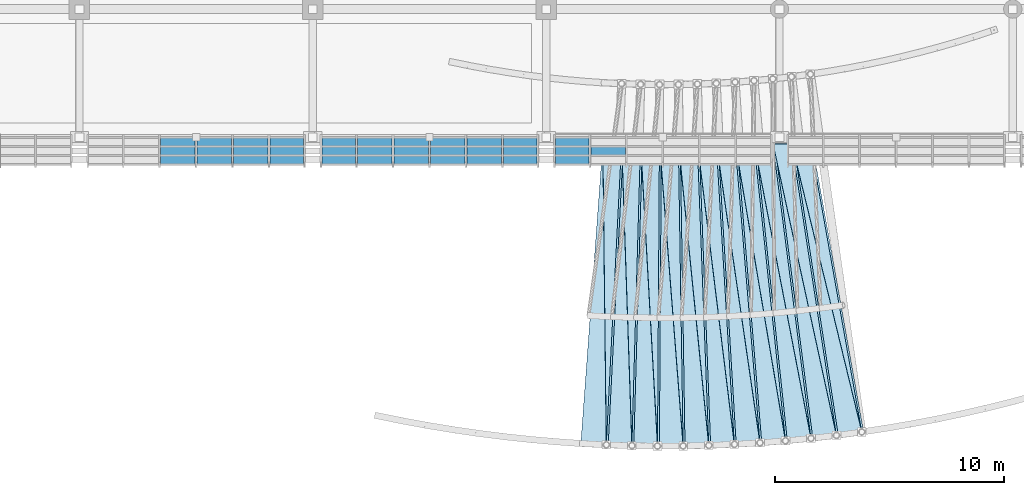
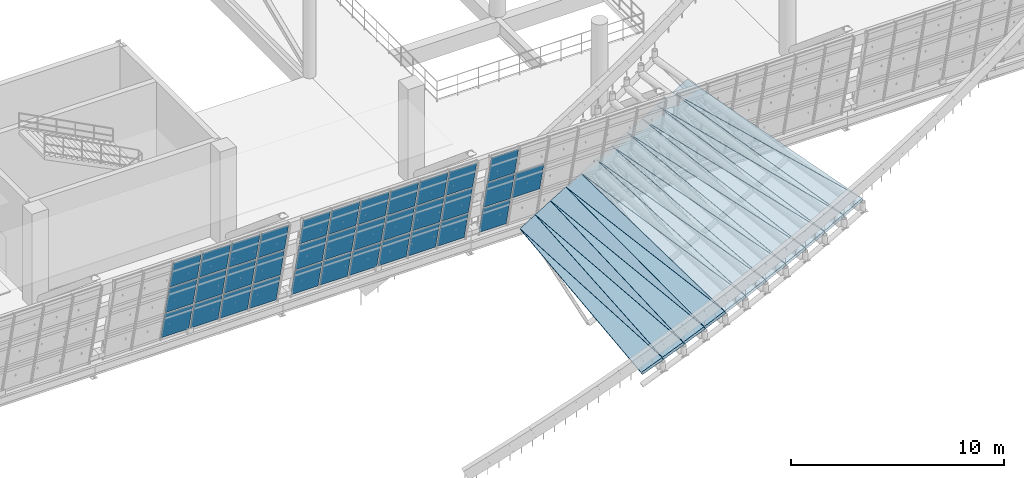
# One storey, part 111 of 175: 34 plates, 22 slabs, 3 elements without a shape of their own.
"""IFC4 building model written with IfcOpenShell, lengths in metres."""

from ifc_helpers import new_model, si_unit, direction, frame, origin, place, context, subcontext, project, spatial, polyline, outline, extrude, material, layer, layer_set, type_object, element, aggregate, save


model = new_model("IFC4")

# Units and contexts
model_context = context("Model", 3, precision=1e-05, world=origin(), true_north=direction((0.0, 1.0)))
body_context = subcontext(model_context, "Body", "Model", "MODEL_VIEW")
ifc_project = project(units=[si_unit("LENGTHUNIT", "METRE"), si_unit("AREAUNIT", "SQUARE_METRE"), si_unit("VOLUMEUNIT", "CUBIC_METRE"), si_unit("PLANEANGLEUNIT", "RADIAN"), si_unit("MASSUNIT", "GRAM", prefix="KILO")], contexts=[model_context])

# Site, building, storey
site_placement = place(None, origin())
site = spatial("IfcSite", under=ifc_project, at=site_placement, CompositionType="ELEMENT")
building_placement = place(site_placement, origin())
building = spatial("IfcBuilding", under=site, at=building_placement, Name="Brelvane Convention Centre", CompositionType="ELEMENT")
storey_placement = place(building_placement, frame((0.0, 0.0, 5.39990234375)))
storey = spatial("IfcBuildingStorey", under=building, at=storey_placement, Name="L01", CompositionType="ELEMENT", Elevation=5.39990234375)

# Curtain wall, plates
ifc_material_1 = material(Name="Anodised Aluminium Alloy 6063-T6", Category="aluminium")
curtain_wall_type = type_object("IfcCurtainWallType", Name="Curtain Wall CW-HULL-S", PredefinedType="USERDEFINED", material=ifc_material_1)
curtain_wall_1_placement = place(storey_placement, origin())
curtain_wall_1 = element("IfcCurtainWall", 1, at=curtain_wall_1_placement, inside=storey, type_object=curtain_wall_type, Name="Curtain Wall CW-HULL-S L01-HULL-S-L01-13", ObjectType="UNITISED", PredefinedType="USERDEFINED")
ifc_material_2 = material(Name="Double Glazed Low-E Laminated Unit")
ifc_layer_1 = layer(ifc_material_2, 0.031982421875)
ifc_layer_set_1 = layer_set([ifc_layer_1], Name="Double Glazed Low-E Laminated Unit")
plate_type_1 = type_object("IfcPlateType", Name="Curtain Panel CW-PG1", PredefinedType="CURTAIN_PANEL", material=ifc_layer_set_1)
plate_1_placement = place(storey_placement, frame((125.94677734375, 13.18798828125, 1.7568359375), z_axis=(0.0, 0.973584535906, 0.228326852222), x_axis=(1.0, 0.0, 0.0)))
plate_1 = element("IfcPlate", 2, at=plate_1_placement, type_object=plate_type_1, Name="CW-HULL-S panel 3.2", PredefinedType="CURTAIN_PANEL", context=body_context, shape_type="SweptSolid", body=[
    extrude(outline(polyline([(0.0, 0.0), (1.51318359375, 0.0), (1.51318359375, -1.680875721647406), (0.0, -1.680875721647406), (0.0, 0.0)])), origin(), (0.0, 0.0, -1.0), 0.031982421875),
])
plate_2_placement = place(storey_placement, frame((125.94677734375, 12.785400390625, 3.473388671875), z_axis=(0.0, 0.973577021422, 0.228358891569), x_axis=(1.0, 0.0, 0.0)))
plate_2 = element("IfcPlate", 3, at=plate_2_placement, type_object=plate_type_1, Name="CW-HULL-S panel 3.3", PredefinedType="CURTAIN_PANEL", context=body_context, shape_type="SweptSolid", body=[
    extrude(outline(polyline([(0.0, 0.0), (1.51318359375, 0.0), (1.51318359375, -1.640013735294975), (0.0, -1.640013735294975), (0.0, 0.0)])), origin(), (0.0, 0.0, -1.0), 0.031982421875),
])
plate_3_placement = place(storey_placement, frame((127.5400390625, 13.18798828125, 1.7568359375), z_axis=(0.0, 0.973584535906, 0.228326852222), x_axis=(1.0, 0.0, 0.0)))
plate_3 = element("IfcPlate", 4, at=plate_3_placement, type_object=plate_type_1, Name="CW-HULL-S panel 4.2", PredefinedType="CURTAIN_PANEL", context=body_context, shape_type="SweptSolid", body=[
    extrude(outline(polyline([(0.0, 0.0), (1.51318359375, 0.0), (1.51318359375, -1.680875721647406), (0.0, -1.680875721647406), (0.0, 0.0)])), origin(), (0.0, 0.0, -1.0), 0.031982421875),
])
plate_4_placement = place(storey_placement, frame((127.5400390625, 12.785400390625, 3.473388671875), z_axis=(0.0, 0.973577021422, 0.228358891569), x_axis=(1.0, 0.0, 0.0)))
plate_4 = element("IfcPlate", 5, at=plate_4_placement, type_object=plate_type_1, Name="CW-HULL-S panel 4.3", PredefinedType="CURTAIN_PANEL", context=body_context, shape_type="SweptSolid", body=[
    extrude(outline(polyline([(0.0, 0.0), (1.51318359375, 0.0), (1.51318359375, -1.640013735294975), (0.0, -1.640013735294975), (0.0, 0.0)])), origin(), (0.0, 0.0, -1.0), 0.031982421875),
])
plate_5_placement = place(storey_placement, frame((129.13330078125, 13.18798828125, 1.7568359375), z_axis=(0.0, 0.973584535906, 0.228326852222), x_axis=(1.0, 0.0, 0.0)))
plate_5 = element("IfcPlate", 6, at=plate_5_placement, type_object=plate_type_1, Name="CW-HULL-S panel 5.2", PredefinedType="CURTAIN_PANEL", context=body_context, shape_type="SweptSolid", body=[
    extrude(outline(polyline([(0.0, 0.0), (1.513427734375, 0.0), (1.513427734375, -1.680875721647406), (0.0, -1.680875721647406), (0.0, 0.0)])), origin(), (0.0, 0.0, -1.0), 0.031982421875),
])
plate_6_placement = place(storey_placement, frame((129.13330078125, 12.785400390625, 3.473388671875), z_axis=(0.0, 0.973577021422, 0.228358891569), x_axis=(1.0, 0.0, 0.0)))
plate_6 = element("IfcPlate", 7, at=plate_6_placement, type_object=plate_type_1, Name="CW-HULL-S panel 5.3", PredefinedType="CURTAIN_PANEL", context=body_context, shape_type="SweptSolid", body=[
    extrude(outline(polyline([(0.0, 0.0), (1.513427734375, 0.0), (1.513427734375, -1.6400137352949753), (0.0, -1.6400137352949753), (0.0, 0.0)])), origin(), (0.0, 0.0, -1.0), 0.031982421875),
])
plate_7_placement = place(storey_placement, frame((130.7265625, 13.18798828125, 1.7568359375), z_axis=(0.0, 0.973584535906, 0.228326852222), x_axis=(1.0, 0.0, 0.0)))
plate_7 = element("IfcPlate", 8, at=plate_7_placement, type_object=plate_type_1, Name="CW-HULL-S panel 6.2", PredefinedType="CURTAIN_PANEL", context=body_context, shape_type="SweptSolid", body=[
    extrude(outline(polyline([(0.0, 0.0), (1.473388671875, 0.0), (1.473388671875, -1.680875721647406), (0.0, -1.680875721647406), (0.0, 0.0)])), origin(), (0.0, 0.0, -1.0), 0.031982421875),
])
plate_8_placement = place(storey_placement, frame((130.7265625, 12.785400390625, 3.473388671875), z_axis=(0.0, 0.973577021422, 0.228358891569), x_axis=(1.0, 0.0, 0.0)))
plate_8 = element("IfcPlate", 9, at=plate_8_placement, type_object=plate_type_1, Name="CW-HULL-S panel 6.3", PredefinedType="CURTAIN_PANEL", context=body_context, shape_type="SweptSolid", body=[
    extrude(outline(polyline([(0.0, 0.0), (1.473388671875, 0.0), (1.473388671875, -1.640013735294975), (0.0, -1.640013735294975), (0.0, 0.0)])), origin(), (0.0, 0.0, -1.0), 0.031982421875),
])

curtain_wall_2_placement = place(storey_placement, origin())
curtain_wall_2 = element("IfcCurtainWall", 10, at=curtain_wall_2_placement, inside=storey, type_object=curtain_wall_type, Name="Curtain Wall CW-HULL-S L01-HULL-S-L01-14", ObjectType="UNITISED", PredefinedType="USERDEFINED")
plate_9_placement = place(storey_placement, frame((133.0, 13.18798828125, 1.7568359375), z_axis=(0.0, 0.973584535906, 0.228326852222), x_axis=(1.0, 0.0, 0.0)))
plate_9 = element("IfcPlate", 11, at=plate_9_placement, type_object=plate_type_1, Name="CW-HULL-S panel 1.2", PredefinedType="CURTAIN_PANEL", context=body_context, shape_type="SweptSolid", body=[
    extrude(outline(polyline([(0.0, 0.0), (1.473388671875, 0.0), (1.473388671875, -1.680875721647406), (0.0, -1.680875721647406), (0.0, 0.0)])), origin(), (0.0, 0.0, -1.0), 0.031982421875),
])
plate_10_placement = place(storey_placement, frame((133.0, 12.785400390625, 3.473388671875), z_axis=(0.0, 0.973577021422, 0.228358891569), x_axis=(1.0, 0.0, 0.0)))
plate_10 = element("IfcPlate", 12, at=plate_10_placement, type_object=plate_type_1, Name="CW-HULL-S panel 1.3", PredefinedType="CURTAIN_PANEL", context=body_context, shape_type="SweptSolid", body=[
    extrude(outline(polyline([(0.0, 0.0), (1.473388671875, 0.0), (1.473388671875, -1.640013735294975), (0.0, -1.640013735294975), (0.0, 0.0)])), origin(), (0.0, 0.0, -1.0), 0.031982421875),
])
plate_11_placement = place(storey_placement, frame((134.55322265625, 13.18798828125, 1.7568359375), z_axis=(0.0, 0.973584535906, 0.228326852222), x_axis=(1.0, 0.0, 0.0)))
plate_11 = element("IfcPlate", 13, at=plate_11_placement, type_object=plate_type_1, Name="CW-HULL-S panel 2.2", PredefinedType="CURTAIN_PANEL", context=body_context, shape_type="SweptSolid", body=[
    extrude(outline(polyline([(0.0, 0.0), (1.513427734375, 0.0), (1.513427734375, -1.680875721647406), (0.0, -1.680875721647406), (0.0, 0.0)])), origin(), (0.0, 0.0, -1.0), 0.031982421875),
])
plate_12_placement = place(storey_placement, frame((134.55322265625, 12.785400390625, 3.473388671875), z_axis=(0.0, 0.973577021422, 0.228358891569), x_axis=(1.0, 0.0, 0.0)))
plate_12 = element("IfcPlate", 14, at=plate_12_placement, type_object=plate_type_1, Name="CW-HULL-S panel 2.3", PredefinedType="CURTAIN_PANEL", context=body_context, shape_type="SweptSolid", body=[
    extrude(outline(polyline([(0.0, 0.0), (1.513427734375, 0.0), (1.513427734375, -1.6400137352949753), (0.0, -1.6400137352949753), (0.0, 0.0)])), origin(), (0.0, 0.0, -1.0), 0.031982421875),
])
plate_13_placement = place(storey_placement, frame((136.146728515625, 13.18798828125, 1.7568359375), z_axis=(0.0, 0.973584535906, 0.228326852222), x_axis=(1.0, 0.0, 0.0)))
plate_13 = element("IfcPlate", 15, at=plate_13_placement, type_object=plate_type_1, Name="CW-HULL-S panel 3.2", PredefinedType="CURTAIN_PANEL", context=body_context, shape_type="SweptSolid", body=[
    extrude(outline(polyline([(0.0, 0.0), (1.51318359375, 0.0), (1.51318359375, -1.680875721647406), (0.0, -1.680875721647406), (0.0, 0.0)])), origin(), (0.0, 0.0, -1.0), 0.031982421875),
])
plate_14_placement = place(storey_placement, frame((136.146728515625, 12.785400390625, 3.473388671875), z_axis=(0.0, 0.973577021422, 0.228358891569), x_axis=(1.0, 0.0, 0.0)))
plate_14 = element("IfcPlate", 16, at=plate_14_placement, type_object=plate_type_1, Name="CW-HULL-S panel 3.3", PredefinedType="CURTAIN_PANEL", context=body_context, shape_type="SweptSolid", body=[
    extrude(outline(polyline([(0.0, 0.0), (1.51318359375, 0.0), (1.51318359375, -1.640013735294975), (0.0, -1.640013735294975), (0.0, 0.0)])), origin(), (0.0, 0.0, -1.0), 0.031982421875),
])
plate_15_placement = place(storey_placement, frame((137.739990234375, 13.18798828125, 1.7568359375), z_axis=(0.0, 0.973584535906, 0.228326852222), x_axis=(1.0, 0.0, 0.0)))
plate_15 = element("IfcPlate", 17, at=plate_15_placement, type_object=plate_type_1, Name="CW-HULL-S panel 4.2", PredefinedType="CURTAIN_PANEL", context=body_context, shape_type="SweptSolid", body=[
    extrude(outline(polyline([(0.0, 0.0), (1.513427734375, 0.0), (1.513427734375, -1.680875721647406), (0.0, -1.680875721647406), (0.0, 0.0)])), origin(), (0.0, 0.0, -1.0), 0.031982421875),
])
plate_16_placement = place(storey_placement, frame((137.739990234375, 12.785400390625, 3.473388671875), z_axis=(0.0, 0.973577021422, 0.228358891569), x_axis=(1.0, 0.0, 0.0)))
plate_16 = element("IfcPlate", 18, at=plate_16_placement, type_object=plate_type_1, Name="CW-HULL-S panel 4.3", PredefinedType="CURTAIN_PANEL", context=body_context, shape_type="SweptSolid", body=[
    extrude(outline(polyline([(0.0, 0.0), (1.513427734375, 0.0), (1.513427734375, -1.6400137352949753), (0.0, -1.6400137352949753), (0.0, 0.0)])), origin(), (0.0, 0.0, -1.0), 0.031982421875),
])
plate_17_placement = place(storey_placement, frame((139.333251953125, 13.18798828125, 1.7568359375), z_axis=(0.0, 0.973584535906, 0.228326852222), x_axis=(1.0, 0.0, 0.0)))
plate_17 = element("IfcPlate", 19, at=plate_17_placement, type_object=plate_type_1, Name="CW-HULL-S panel 5.2", PredefinedType="CURTAIN_PANEL", context=body_context, shape_type="SweptSolid", body=[
    extrude(outline(polyline([(0.0, 0.0), (1.513427734375, 0.0), (1.513427734375, -1.680875721647406), (0.0, -1.680875721647406), (0.0, 0.0)])), origin(), (0.0, 0.0, -1.0), 0.031982421875),
])
plate_18_placement = place(storey_placement, frame((139.333251953125, 12.785400390625, 3.473388671875), z_axis=(0.0, 0.973577021422, 0.228358891569), x_axis=(1.0, 0.0, 0.0)))
plate_18 = element("IfcPlate", 20, at=plate_18_placement, type_object=plate_type_1, Name="CW-HULL-S panel 5.3", PredefinedType="CURTAIN_PANEL", context=body_context, shape_type="SweptSolid", body=[
    extrude(outline(polyline([(0.0, 0.0), (1.513427734375, 0.0), (1.513427734375, -1.6400137352949753), (0.0, -1.6400137352949753), (0.0, 0.0)])), origin(), (0.0, 0.0, -1.0), 0.031982421875),
])
plate_19_placement = place(storey_placement, frame((140.9267578125, 13.18798828125, 1.7568359375), z_axis=(0.0, 0.973584535906, 0.228326852222), x_axis=(1.0, 0.0, 0.0)))
plate_19 = element("IfcPlate", 21, at=plate_19_placement, type_object=plate_type_1, Name="CW-HULL-S panel 6.2", PredefinedType="CURTAIN_PANEL", context=body_context, shape_type="SweptSolid", body=[
    extrude(outline(polyline([(0.0, 0.0), (1.47314453125, 0.0), (1.47314453125, -1.680875721647406), (0.0, -1.680875721647406), (0.0, 0.0)])), origin(), (0.0, 0.0, -1.0), 0.031982421875),
])
plate_20_placement = place(storey_placement, frame((140.9267578125, 12.785400390625, 3.473388671875), z_axis=(0.0, 0.973577021422, 0.228358891569), x_axis=(1.0, 0.0, 0.0)))
plate_20 = element("IfcPlate", 22, at=plate_20_placement, type_object=plate_type_1, Name="CW-HULL-S panel 6.3", PredefinedType="CURTAIN_PANEL", context=body_context, shape_type="SweptSolid", body=[
    extrude(outline(polyline([(0.0, 0.0), (1.47314453125, 0.0), (1.47314453125, -1.6400137352949753), (0.0, -1.6400137352949753), (0.0, 0.0)])), origin(), (0.0, 0.0, -1.0), 0.031982421875),
])

curtain_wall_3_placement = place(storey_placement, origin())
curtain_wall_3 = element("IfcCurtainWall", 23, at=curtain_wall_3_placement, inside=storey, type_object=curtain_wall_type, Name="Curtain Wall CW-HULL-S L01-HULL-S-L01-15", ObjectType="UNITISED", PredefinedType="USERDEFINED")
plate_21_placement = place(storey_placement, frame((143.199951171875, 13.18798828125, 1.7568359375), z_axis=(0.0, 0.973584535906, 0.228326852222), x_axis=(1.0, 0.0, 0.0)))
plate_21 = element("IfcPlate", 24, at=plate_21_placement, type_object=plate_type_1, Name="CW-HULL-S panel 1.2", PredefinedType="CURTAIN_PANEL", context=body_context, shape_type="SweptSolid", body=[
    extrude(outline(polyline([(0.0, 0.0), (1.473388671875, 0.0), (1.473388671875, -1.680875721647406), (0.0, -1.680875721647406), (0.0, 0.0)])), origin(), (0.0, 0.0, -1.0), 0.031982421875),
])
plate_22_placement = place(storey_placement, frame((143.199951171875, 12.785400390625, 3.473388671875), z_axis=(0.0, 0.973577021422, 0.228358891569), x_axis=(1.0, 0.0, 0.0)))
plate_22 = element("IfcPlate", 25, at=plate_22_placement, type_object=plate_type_1, Name="CW-HULL-S panel 1.3", PredefinedType="CURTAIN_PANEL", context=body_context, shape_type="SweptSolid", body=[
    extrude(outline(polyline([(0.0, 0.0), (1.473388671875, 0.0), (1.473388671875, -1.640013735294975), (0.0, -1.640013735294975), (0.0, 0.0)])), origin(), (0.0, 0.0, -1.0), 0.031982421875),
])
plate_23_placement = place(storey_placement, frame((144.75341796875, 13.18798828125, 1.7568359375), z_axis=(0.0, 0.973584535906, 0.228326852222), x_axis=(1.0, 0.0, 0.0)))
plate_23 = element("IfcPlate", 26, at=plate_23_placement, type_object=plate_type_1, Name="CW-HULL-S panel 2.2", PredefinedType="CURTAIN_PANEL", context=body_context, shape_type="SweptSolid", body=[
    extrude(outline(polyline([(0.0, 0.0), (1.51318359375, 0.0), (1.51318359375, -1.680875721647406), (0.0, -1.680875721647406), (0.0, 0.0)])), origin(), (0.0, 0.0, -1.0), 0.031982421875),
])

# Plate
ifc_material_3 = material(Name="Patinated Copper-Bronze Alloy C22000")
ifc_layer_2 = layer(ifc_material_3, 0.048095703125)
ifc_layer_set_2 = layer_set([ifc_layer_2], Name="Patinated Copper-Bronze Alloy C22000")
plate_type_2 = type_object("IfcPlateType", Name="Curtain Panel CW-PS1", PredefinedType="CURTAIN_PANEL", material=ifc_layer_set_2)
plate_24_placement = place(storey_placement, frame((125.94677734375, 13.581298828125, 0.080078125), z_axis=(0.0, 0.973577021422, 0.228358891569), x_axis=(1.0, 0.0, 0.0)))
plate_24 = element("IfcPlate", 27, at=plate_24_placement, type_object=plate_type_2, Name="CW-HULL-S panel 3.1", PredefinedType="CURTAIN_PANEL", context=body_context, shape_type="SweptSolid", body=[
    extrude(outline(polyline([(0.0, 0.0), (1.51318359375, 0.0), (1.51318359375, -1.640013735294975), (0.0, -1.640013735294975), (0.0, 0.0)])), origin(), (0.0, 0.0, -1.0), 0.031982421875),
])

plate_25_placement = place(storey_placement, frame((127.5400390625, 13.581298828125, 0.080078125), z_axis=(0.0, 0.973577021422, 0.228358891569), x_axis=(1.0, 0.0, 0.0)))
plate_25 = element("IfcPlate", 28, at=plate_25_placement, type_object=plate_type_2, Name="CW-HULL-S panel 4.1", PredefinedType="CURTAIN_PANEL", context=body_context, shape_type="SweptSolid", body=[
    extrude(outline(polyline([(0.0, 0.0), (1.51318359375, 0.0), (1.51318359375, -1.640013735294975), (0.0, -1.640013735294975), (0.0, 0.0)])), origin(), (0.0, 0.0, -1.0), 0.031982421875),
])

plate_26_placement = place(storey_placement, frame((129.13330078125, 13.581298828125, 0.080078125), z_axis=(0.0, 0.973577021422, 0.228358891569), x_axis=(1.0, 0.0, 0.0)))
plate_26 = element("IfcPlate", 29, at=plate_26_placement, type_object=plate_type_2, Name="CW-HULL-S panel 5.1", PredefinedType="CURTAIN_PANEL", context=body_context, shape_type="SweptSolid", body=[
    extrude(outline(polyline([(0.0, 0.0), (1.513427734375, 0.0), (1.513427734375, -1.6400137352949753), (0.0, -1.6400137352949753), (0.0, 0.0)])), origin(), (0.0, 0.0, -1.0), 0.031982421875),
])

plate_27_placement = place(storey_placement, frame((130.7265625, 13.581298828125, 0.080078125), z_axis=(0.0, 0.973577021422, 0.228358891569), x_axis=(1.0, 0.0, 0.0)))
plate_27 = element("IfcPlate", 30, at=plate_27_placement, type_object=plate_type_2, Name="CW-HULL-S panel 6.1", PredefinedType="CURTAIN_PANEL", context=body_context, shape_type="SweptSolid", body=[
    extrude(outline(polyline([(0.0, 0.0), (1.473388671875, 0.0), (1.473388671875, -1.640013735294975), (0.0, -1.640013735294975), (0.0, 0.0)])), origin(), (0.0, 0.0, -1.0), 0.031982421875),
])

aggregate(curtain_wall_1, [plate_24, plate_1, plate_2, plate_25, plate_3, plate_4, plate_26, plate_5, plate_6, plate_27, plate_7, plate_8])

plate_28_placement = place(storey_placement, frame((133.0, 13.581298828125, 0.080078125), z_axis=(0.0, 0.973577021422, 0.228358891569), x_axis=(1.0, 0.0, 0.0)))
plate_28 = element("IfcPlate", 31, at=plate_28_placement, type_object=plate_type_2, Name="CW-HULL-S panel 1.1", PredefinedType="CURTAIN_PANEL", context=body_context, shape_type="SweptSolid", body=[
    extrude(outline(polyline([(0.0, 0.0), (1.473388671875, 0.0), (1.473388671875, -1.640013735294975), (0.0, -1.640013735294975), (0.0, 0.0)])), origin(), (0.0, 0.0, -1.0), 0.031982421875),
])

plate_29_placement = place(storey_placement, frame((134.55322265625, 13.581298828125, 0.080078125), z_axis=(0.0, 0.973577021422, 0.228358891569), x_axis=(1.0, 0.0, 0.0)))
plate_29 = element("IfcPlate", 32, at=plate_29_placement, type_object=plate_type_2, Name="CW-HULL-S panel 2.1", PredefinedType="CURTAIN_PANEL", context=body_context, shape_type="SweptSolid", body=[
    extrude(outline(polyline([(0.0, 0.0), (1.513427734375, 0.0), (1.513427734375, -1.6400137352949753), (0.0, -1.6400137352949753), (0.0, 0.0)])), origin(), (0.0, 0.0, -1.0), 0.031982421875),
])

plate_30_placement = place(storey_placement, frame((136.146728515625, 13.581298828125, 0.080078125), z_axis=(0.0, 0.973577021422, 0.228358891569), x_axis=(1.0, 0.0, 0.0)))
plate_30 = element("IfcPlate", 33, at=plate_30_placement, type_object=plate_type_2, Name="CW-HULL-S panel 3.1", PredefinedType="CURTAIN_PANEL", context=body_context, shape_type="SweptSolid", body=[
    extrude(outline(polyline([(0.0, 0.0), (1.51318359375, 0.0), (1.51318359375, -1.640013735294975), (0.0, -1.640013735294975), (0.0, 0.0)])), origin(), (0.0, 0.0, -1.0), 0.031982421875),
])

plate_31_placement = place(storey_placement, frame((137.739990234375, 13.581298828125, 0.080078125), z_axis=(0.0, 0.973577021422, 0.228358891569), x_axis=(1.0, 0.0, 0.0)))
plate_31 = element("IfcPlate", 34, at=plate_31_placement, type_object=plate_type_2, Name="CW-HULL-S panel 4.1", PredefinedType="CURTAIN_PANEL", context=body_context, shape_type="SweptSolid", body=[
    extrude(outline(polyline([(0.0, 0.0), (1.513427734375, 0.0), (1.513427734375, -1.6400137352949753), (0.0, -1.6400137352949753), (0.0, 0.0)])), origin(), (0.0, 0.0, -1.0), 0.031982421875),
])

plate_32_placement = place(storey_placement, frame((139.333251953125, 13.581298828125, 0.080078125), z_axis=(0.0, 0.973577021422, 0.228358891569), x_axis=(1.0, 0.0, 0.0)))
plate_32 = element("IfcPlate", 35, at=plate_32_placement, type_object=plate_type_2, Name="CW-HULL-S panel 5.1", PredefinedType="CURTAIN_PANEL", context=body_context, shape_type="SweptSolid", body=[
    extrude(outline(polyline([(0.0, 0.0), (1.513427734375, 0.0), (1.513427734375, -1.6400137352949753), (0.0, -1.6400137352949753), (0.0, 0.0)])), origin(), (0.0, 0.0, -1.0), 0.031982421875),
])

plate_33_placement = place(storey_placement, frame((140.9267578125, 13.581298828125, 0.080078125), z_axis=(0.0, 0.973577021422, 0.228358891569), x_axis=(1.0, 0.0, 0.0)))
plate_33 = element("IfcPlate", 36, at=plate_33_placement, type_object=plate_type_2, Name="CW-HULL-S panel 6.1", PredefinedType="CURTAIN_PANEL", context=body_context, shape_type="SweptSolid", body=[
    extrude(outline(polyline([(0.0, 0.0), (1.47314453125, 0.0), (1.47314453125, -1.6400137352949753), (0.0, -1.6400137352949753), (0.0, 0.0)])), origin(), (0.0, 0.0, -1.0), 0.031982421875),
])

aggregate(curtain_wall_2, [plate_28, plate_9, plate_10, plate_29, plate_11, plate_12, plate_30, plate_13, plate_14, plate_31, plate_15, plate_16, plate_32, plate_17, plate_18, plate_33, plate_19, plate_20])

plate_34_placement = place(storey_placement, frame((143.199951171875, 13.581298828125, 0.080078125), z_axis=(0.0, 0.973577021422, 0.228358891569), x_axis=(1.0, 0.0, 0.0)))
plate_34 = element("IfcPlate", 37, at=plate_34_placement, type_object=plate_type_2, Name="CW-HULL-S panel 1.1", PredefinedType="CURTAIN_PANEL", context=body_context, shape_type="SweptSolid", body=[
    extrude(outline(polyline([(0.0, 0.0), (1.473388671875, 0.0), (1.473388671875, -1.640013735294975), (0.0, -1.640013735294975), (0.0, 0.0)])), origin(), (0.0, 0.0, -1.0), 0.031982421875),
])

aggregate(curtain_wall_3, [plate_34, plate_21, plate_22, plate_23])

# Slabs
ifc_material_4 = material(Name="Steel E350 (350 MPa)", Category="steel")
ifc_layer_3 = layer(ifc_material_4, 0.159912109375)
ifc_layer_set_3 = layer_set([ifc_layer_3], Name="Steel E350 (350 MPa)")
slab_type = type_object("IfcSlabType", Name="Structural Slab SL-ROOF-CN-160", PredefinedType="ROOF", material=ifc_layer_set_3)
slab_1_placement = place(storey_placement, frame((154.356689453125, 13.305419921875, 5.117919921875), z_axis=(-0.494269450227, -0.088008211769, 0.864842335477), x_axis=(0.175429915612, -0.984491919132, 7.6632048e-05)))
element("IfcSlab", 38, at=slab_1_placement, inside=storey, type_object=slab_type, Name="Boulevard Sweeping Canopy Roof Panel 13A", PredefinedType="ROOF", context=body_context, shape_type="SweptSolid", body=[
    extrude(outline(polyline([(0.0, 0.0), (12.743526070345297, -2.883977778811442e-16), (-0.14408349784874075, -0.9234497742057989), (0.0, 0.0)])), origin(), (0.0, 0.0, -1.0), 0.159912109375),
])
slab_2_placement = place(storey_placement, frame((156.58740234375, 0.75830078125, 5.116455078125), z_axis=(-0.381651238635, -0.05851894394, 0.922452093742), x_axis=(-0.914331942161, -0.122317295373, -0.386051264468)))
element("IfcSlab", 39, at=slab_2_placement, inside=storey, type_object=slab_type, Name="Boulevard Sweeping Canopy Roof Panel 13B", PredefinedType="ROOF", context=body_context, shape_type="SweptSolid", body=[
    extrude(outline(polyline([(0.0, 0.0), (1.2015688852604336, 3.122502256758253e-17), (1.4304249996891387, -12.841169588336312), (0.0, 0.0)])), origin(), (0.0, 0.0, -1.0), 0.159912109375),
])
slab_3_placement = place(storey_placement, frame((153.535888671875, 13.30517578125, 4.6494140625), z_axis=(-0.497466809757, -0.076251249885, 0.864125291889), x_axis=(0.151638631949, -0.988435996673, 7.6037925e-05)))
element("IfcSlab", 40, at=slab_3_placement, inside=storey, type_object=slab_type, Name="Boulevard Sweeping Canopy Roof Panel 14A", PredefinedType="ROOF", context=body_context, shape_type="SweptSolid", body=[
    extrude(outline(polyline([(0.0, 0.0), (12.843097702688679, 1.5211356479971627e-16), (-0.1250422606693301, -0.9299219209680811), (0.0, 0.0)])), origin(), (0.0, 0.0, -1.0), 0.159912109375),
])
slab_4_placement = place(storey_placement, frame((155.478515625, 0.609375, 4.64794921875), z_axis=(-0.385930111691, -0.049883241702, 0.921178381795), x_axis=(-0.915155004957, -0.105290500459, -0.389108246399)))
element("IfcSlab", 41, at=slab_4_placement, inside=storey, type_object=slab_type, Name="Boulevard Sweeping Canopy Roof Panel 14B", PredefinedType="ROOF", context=body_context, shape_type="SweptSolid", body=[
    extrude(outline(polyline([(0.0, 0.0), (1.2034227572488772, -7.37257477290143e-18), (1.371974462032514, -12.928795265020984), (0.0, 0.0)])), origin(), (0.0, 0.0, -1.0), 0.159912109375),
])
slab_5_placement = place(storey_placement, frame((152.71337890625, 13.30517578125, 4.176513671875), z_axis=(-0.500620009238, -0.064681353569, 0.863247316156), x_axis=(0.128265500612, -0.991739862892, 7.5528044e-05)))
element("IfcSlab", 42, at=slab_5_placement, inside=storey, type_object=slab_type, Name="Boulevard Sweeping Canopy Roof Panel 15A", PredefinedType="ROOF", context=body_context, shape_type="SweptSolid", body=[
    extrude(outline(polyline([(0.0, 0.0), (12.929799967389034, 2.52510685971874e-16), (-0.10580650101309737, -0.9363428223452349), (0.0, 0.0)])), origin(), (0.0, 0.0, -1.0), 0.159912109375),
])
slab_6_placement = place(storey_placement, frame((154.36669921875, 0.48095703125, 4.175048828125), z_axis=(-0.390032127939, -0.041235758171, 0.919877465439), x_axis=(-0.915653116802, -0.088121483586, -0.392191246488)))
element("IfcSlab", 43, at=slab_6_placement, inside=storey, type_object=slab_type, Name="Boulevard Sweeping Canopy Roof Panel 15B", PredefinedType="ROOF", context=body_context, shape_type="SweptSolid", body=[
    extrude(outline(polyline([(0.0, 0.0), (1.2051677701427408, 7.806255641895632e-18), (1.3199628972124406, -13.002465564885384), (0.0, 0.0)])), origin(), (0.0, 0.0, -1.0), 0.159912109375),
])
slab_7_placement = place(storey_placement, frame((151.888916015625, 13.30517578125, 3.698974609375), z_axis=(-0.503967721364, -0.053296629317, 0.862076565698), x_axis=(0.105294643426, -0.994441065335, 7.5103169e-05)))
element("IfcSlab", 44, at=slab_7_placement, inside=storey, type_object=slab_type, Name="Boulevard Sweeping Canopy Roof Panel 16A", PredefinedType="ROOF", context=body_context, shape_type="SweptSolid", body=[
    extrude(outline(polyline([(0.0, 0.0), (13.002946593058388, -1.680513367352532e-17), (-0.08718724362593394, -0.9413277385351589), (0.0, 0.0)])), origin(), (0.0, 0.0, -1.0), 0.159912109375),
])
slab_8_placement = place(storey_placement, frame((153.2529296875, 0.373291015625, 3.697509765625), z_axis=(-0.393949731244, -0.032602004785, 0.918553601341), x_axis=(-0.915806905689, -0.07100689726, -0.395291957967)))
element("IfcSlab", 45, at=slab_8_placement, inside=storey, type_object=slab_type, Name="Boulevard Sweeping Canopy Roof Panel 16B", PredefinedType="ROOF", context=body_context, shape_type="SweptSolid", body=[
    extrude(outline(polyline([(0.0, 0.0), (1.2068314865383358, -1.1384122811097797e-17), (1.2715581798924824, -13.062351326578685), (0.0, 0.0)])), origin(), (0.0, 0.0, -1.0), 0.159912109375),
])
slab_9_placement = place(storey_placement, frame((151.0634765625, 13.304931640625, 3.217041015625), z_axis=(-0.507114203312, -0.041973018637, 0.860856231032), x_axis=(0.082612365913, -0.9965817535, 7.4762322e-05)))
element("IfcSlab", 46, at=slab_9_placement, inside=storey, type_object=slab_type, Name="Boulevard Sweeping Canopy Roof Panel 17A", PredefinedType="ROOF", context=body_context, shape_type="SweptSolid", body=[
    extrude(outline(polyline([(0.0, 0.0), (13.062228040282513, 1.235990476633475e-17), (-0.06877845242740618, -0.9461370226856377), (0.0, 0.0)])), origin(), (0.0, 0.0, -1.0), 0.159912109375),
])
slab_10_placement = place(storey_placement, frame((152.137451171875, 0.286376953125, 3.215576171875), z_axis=(-0.397542290734, -0.02389845784, 0.917272582601), x_axis=(-0.91567442754, -0.054124558134, -0.398259808361)))
element("IfcSlab", 47, at=slab_10_placement, inside=storey, type_object=slab_type, Name="Boulevard Sweeping Canopy Roof Panel 17B", PredefinedType="ROOF", context=body_context, shape_type="SweptSolid", body=[
    extrude(outline(polyline([(0.0, 0.0), (1.208872455599374, 1.656118818471608e-17), (1.223384093911379, -13.10797698423404), (0.0, 0.0)])), origin(), (0.0, 0.0, -1.0), 0.159912109375),
])
slab_11_placement = place(storey_placement, frame((150.23681640625, 13.304931640625, 2.730712890625), z_axis=(-0.510579815507, -0.030708034198, 0.859281833063), x_axis=(0.060159902644, -0.998188749968, 7.4501427e-05)))
element("IfcSlab", 48, at=slab_11_placement, inside=storey, type_object=slab_type, Name="Boulevard Sweeping Canopy Roof Panel 18A", PredefinedType="ROOF", context=body_context, shape_type="SweptSolid", body=[
    extrude(outline(polyline([(0.0, 0.0), (13.10797032729499, 4.4994390158148434e-17), (-0.05022874050336589, -0.950299007620285), (0.0, 0.0)])), origin(), (0.0, 0.0, -1.0), 0.159912109375),
])
slab_12_placement = place(storey_placement, frame((151.020263671875, 0.219970703125, 2.72900390625), z_axis=(-0.401114727485, -0.015154265427, 0.91590246404), x_axis=(-0.915150745762, -0.037114334851, -0.40139959975)))
element("IfcSlab", 49, at=slab_12_placement, inside=storey, type_object=slab_type, Name="Boulevard Sweeping Canopy Roof Panel 18B", PredefinedType="ROOF", context=body_context, shape_type="SweptSolid", body=[
    extrude(outline(polyline([(0.0, 0.0), (1.210364544589399, 4.87890977618477e-18), (1.179452002563794, -13.139542347808465), (0.0, 0.0)])), origin(), (0.0, 0.0, -1.0), 0.159912109375),
])
slab_13_placement = place(storey_placement, frame((149.409423828125, 13.304931640625, 2.23974609375), z_axis=(-0.513997411415, -0.019439717508, 0.857571430518), x_axis=(0.03788650231, -0.99928204719, 5.5742769e-05)))
element("IfcSlab", 50, at=slab_13_placement, inside=storey, type_object=slab_type, Name="Boulevard Sweeping Canopy Roof Panel 19A", PredefinedType="ROOF", context=body_context, shape_type="SweptSolid", body=[
    extrude(outline(polyline([(0.0, 0.0), (13.139316221507721, -9.443400922348744e-17), (-0.031764011012640626, -0.9535579819739783), (0.0, 0.0)])), origin(), (0.0, 0.0, -1.0), 0.159912109375),
])
slab_14_placement = place(storey_placement, frame((149.902099609375, 0.17431640625, 2.238037109375), z_axis=(-0.404370049728, -0.006303507178, 0.914573741521), x_axis=(-0.914359263724, -0.019938671169, -0.404412643515)))
element("IfcSlab", 51, at=slab_14_placement, inside=storey, type_object=slab_type, Name="Boulevard Sweeping Canopy Roof Panel 19B", PredefinedType="ROOF", context=body_context, shape_type="SweptSolid", body=[
    extrude(outline(polyline([(0.0, 0.0), (1.212213274885045, -6.505213034913027e-19), (1.1398385792941748, -13.156463116898506), (0.0, 0.0)])), origin(), (0.0, 0.0, -1.0), 0.159912109375),
])
slab_15_placement = place(storey_placement, frame((148.581787109375, 13.30517578125, 1.744384765625), z_axis=(-0.517219105187, -0.008082644573, 0.855814856196), x_axis=(0.015717301811, -0.999876474033, 5.566931e-05)))
element("IfcSlab", 52, at=slab_15_placement, inside=storey, type_object=slab_type, Name="Boulevard Sweeping Canopy Roof Panel 20A", PredefinedType="ROOF", context=body_context, shape_type="SweptSolid", body=[
    extrude(outline(polyline([(0.0, 0.0), (13.15665448534258, 2.883977778811442e-17), (-0.013385845926437987, -0.9566775184025582), (0.0, 0.0)])), origin(), (0.0, 0.0, -1.0), 0.159912109375),
])
slab_16_placement = place(storey_placement, frame((148.783447265625, 0.1494140625, 1.74267578125), z_axis=(-0.407617790542, 0.002654135055, 0.913148778897), x_axis=(-0.913151104409, -0.003016354672, -0.40761006136)))
element("IfcSlab", 53, at=slab_16_placement, inside=storey, type_object=slab_type, Name="Boulevard Sweeping Canopy Roof Panel 20B", PredefinedType="ROOF", context=body_context, shape_type="SweptSolid", body=[
    extrude(outline(polyline([(0.0, 0.0), (1.2140844738320586, 2.168404344971009e-19), (1.0985452271792473, -13.158937391816309), (0.0, 0.0)])), origin(), (0.0, 0.0, -1.0), 0.159912109375),
])
slab_17_placement = place(storey_placement, frame((147.753662109375, 13.30517578125, 1.244384765625), z_axis=(-0.520694252949, 0.003380347437, 0.853736533245), x_axis=(-0.006400610992, -0.999979514331, 5.5657487e-05)))
element("IfcSlab", 54, at=slab_17_placement, inside=storey, type_object=slab_type, Name="Boulevard Sweeping Canopy Roof Panel 21A", PredefinedType="ROOF", context=body_context, shape_type="SweptSolid", body=[
    extrude(outline(polyline([(0.0, 0.0), (13.1594492676251, -2.7647155398380363e-18), (0.004967639057527771, -0.95883012704402), (0.0, 0.0)])), origin(), (0.0, 0.0, -1.0), 0.159912109375),
])
slab_18_placement = place(storey_placement, frame((147.664306640625, 0.145263671875, 1.24267578125), z_axis=(-0.410446616384, 0.011754332524, 0.911808867453), x_axis=(-0.911717499544, 0.013853448022, -0.410584075439)))
element("IfcSlab", 55, at=slab_18_placement, inside=storey, type_object=slab_type, Name="Boulevard Sweeping Canopy Roof Panel 21B", PredefinedType="ROOF", context=body_context, shape_type="SweptSolid", body=[
    extrude(outline(polyline([(0.0, 0.0), (1.215993527249313, 8.673617379884035e-19), (1.0566961780799704, -13.147199091476997), (0.0, 0.0)])), origin(), (0.0, 0.0, -1.0), 0.159912109375),
])
slab_19_placement = place(storey_placement, frame((146.92578125, 13.30517578125, 0.739990234375), z_axis=(-0.524261821223, 0.015015783876, 0.851424728935), x_axis=(-0.028539630316, -0.999592660236, 5.5705199e-05)))
element("IfcSlab", 56, at=slab_19_placement, inside=storey, type_object=slab_type, Name="Boulevard Sweeping Canopy Roof Panel 22A", PredefinedType="ROOF", context=body_context, shape_type="SweptSolid", body=[
    extrude(outline(polyline([(0.0, 0.0), (13.148178041360843, -1.1438332919722072e-17), (0.023083562653083086, -0.9607813404616782), (0.0, 0.0)])), origin(), (0.0, 0.0, -1.0), 0.159912109375),
])
slab_20_placement = place(storey_placement, frame((146.54541015625, 0.162109375, 0.73828125), z_axis=(-0.413263470877, 0.021037002422, 0.910368468351), x_axis=(-0.909881990082, 0.030469720752, -0.413746734419)))
element("IfcSlab", 57, at=slab_20_placement, inside=storey, type_object=slab_type, Name="Boulevard Sweeping Canopy Roof Panel 22B", PredefinedType="ROOF", context=body_context, shape_type="SweptSolid", body=[
    extrude(outline(polyline([(0.0, 0.0), (1.2179099146424908, 3.0357660829594124e-18), (1.0119890198470822, -13.120984495772477), (0.0, 0.0)])), origin(), (0.0, 0.0, -1.0), 0.159912109375),
])
slab_21_placement = place(storey_placement, frame((146.09814453125, 13.305419921875, 0.23095703125), z_axis=(-0.527595378026, 0.026859175584, 0.849071081696), x_axis=(-0.050753231415, -0.998711222719, 5.5813671e-05)))
element("IfcSlab", 58, at=slab_21_placement, inside=storey, type_object=slab_type, Name="Boulevard Sweeping Canopy Roof Panel 23A", PredefinedType="ROOF", context=body_context, shape_type="SweptSolid", body=[
    extrude(outline(polyline([(0.0, 0.0), (13.122625031626875, 1.0722759485881639e-16), (0.0414688534567992, -0.9617253863513273), (0.0, 0.0)])), origin(), (0.0, 0.0, -1.0), 0.159912109375),
])
slab_22_placement = place(storey_placement, frame((145.427001953125, 0.19921875, 0.229248046875), z_axis=(-0.415715687568, 0.030511742769, 0.908982673467), x_axis=(-0.907778881623, 0.047440704508, -0.416757581376)))
element("IfcSlab", 59, at=slab_22_placement, inside=storey, type_object=slab_type, Name="Boulevard Sweeping Canopy Roof Panel 23B", PredefinedType="ROOF", context=body_context, shape_type="SweptSolid", body=[
    extrude(outline(polyline([(0.0, 0.0), (1.2196557518445554, 4.336808689942018e-18), (0.9710740096677546, -13.080469357650076), (0.0, 0.0)])), origin(), (0.0, 0.0, -1.0), 0.159912109375),
])

save(model, "model.ifc")
